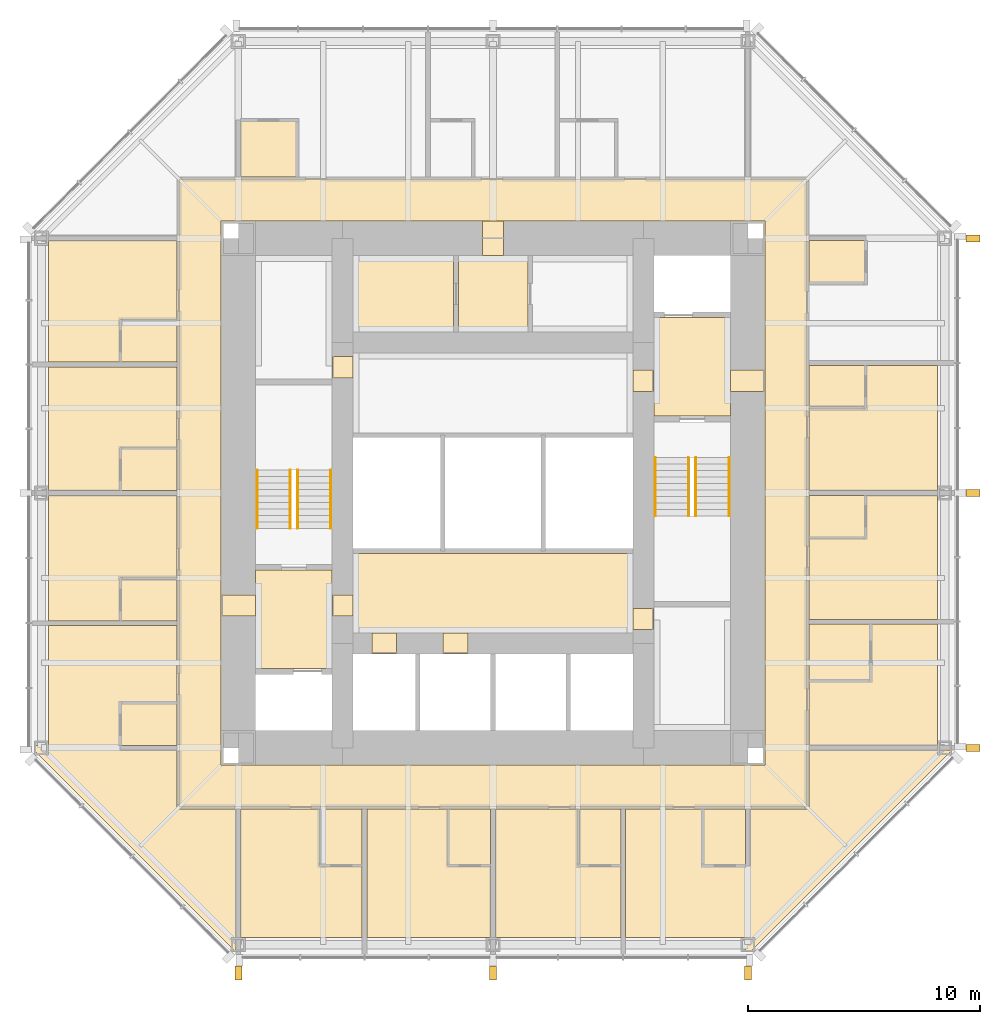
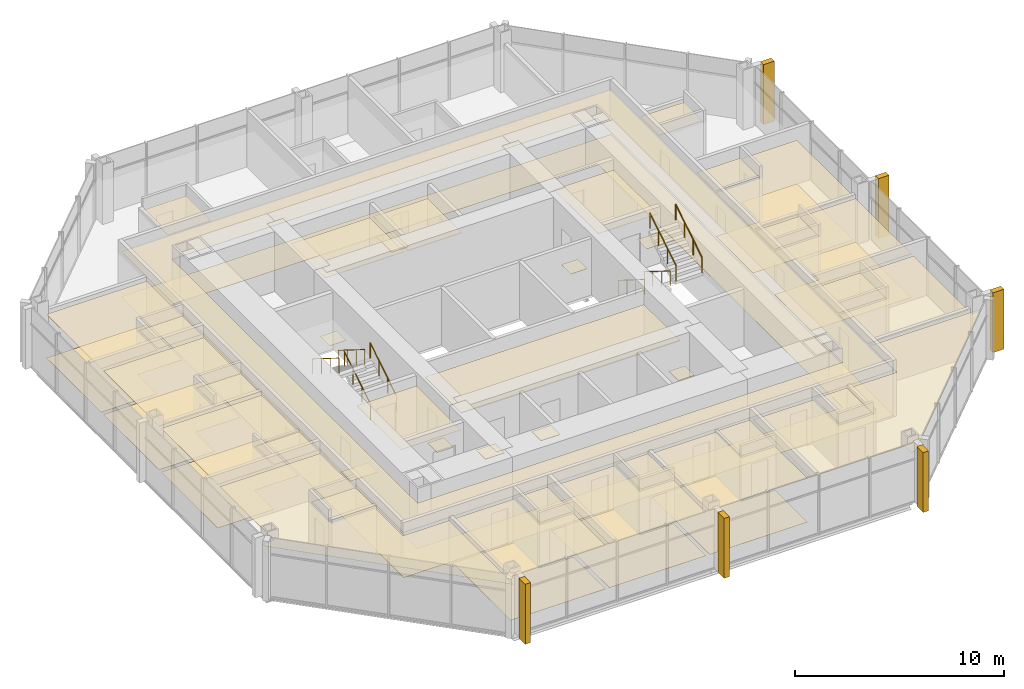
# One storey, part 11 of 12: 54 coverings, 8 railings.
"""IFC4 building model written with IfcOpenShell, lengths in metres."""

from ifc_helpers import new_model, si_unit, direction, frame, origin, origin_2d, place, context, subcontext, project, spatial, polyline, rectangle, circle, outline, extrude, material, layer, layer_set, type_object, element, save


model = new_model("IFC4")

# Units and contexts
model_context = context("Model", 3, precision=1e-05, world=origin(), true_north=direction((0.0, 1.0)))
body_context = subcontext(model_context, "Body", "Model", "MODEL_VIEW")
ifc_project = project(units=[si_unit("LENGTHUNIT", "METRE"), si_unit("AREAUNIT", "SQUARE_METRE"), si_unit("VOLUMEUNIT", "CUBIC_METRE"), si_unit("PLANEANGLEUNIT", "RADIAN"), si_unit("MASSUNIT", "GRAM", prefix="KILO")], contexts=[model_context])

# Site, building, storey
site_placement = place(None, origin())
site = spatial("IfcSite", under=ifc_project, at=site_placement, CompositionType="ELEMENT")
building_placement = place(site_placement, origin())
building = spatial("IfcBuilding", under=site, at=building_placement, Name="Trevanion Tower", CompositionType="ELEMENT")
storey_placement = place(building_placement, frame((0.0, 0.0, 208.199951171875)))
storey = spatial("IfcBuildingStorey", under=building, at=storey_placement, Name="L49", CompositionType="ELEMENT", Elevation=208.199951171875)

# Coverings
ifc_material_1 = material(Name="Fibrous plaster coffers on suspended steel grid", Category="steel")
ifc_layer_1 = layer(ifc_material_1, 0.050048828125)
ifc_layer_set_1 = layer_set([ifc_layer_1], Name="CL1 coffered fibrous plaster ceiling 50")
covering_type_1 = type_object("IfcCoveringType", Name="CL1 coffered fibrous plaster ceiling 50", PredefinedType="CEILING", material=ifc_layer_set_1)
covering_1_placement = place(storey_placement, frame((0.0, 0.0, 2.429931640625)))
element("IfcCovering", 1, at=covering_1_placement, inside=storey, type_object=covering_type_1, Name="CL1 L49-LBS", PredefinedType="CEILING", context=body_context, shape_type="SweptSolid", body=[
    extrude(outline(polyline([(6.050048828125, -6.050048828125), (6.050048828125, -2.60009765625), (-6.050048828125, -2.60009765625), (-6.050048828125, -6.050048828125), (6.050048828125, -6.050048828125)])), origin(), (0.0, 0.0, 1.0), 0.050048828125),
])
ifc_material_2 = material(Name="Mineral fibre acoustic tiles in exposed grid", Category="mineral fibre")
ifc_layer_2 = layer(ifc_material_2, 0.02001953125)
ifc_layer_set_2 = layer_set([ifc_layer_2], Name="CL2 acoustic tile ceiling 20")
covering_type_2 = type_object("IfcCoveringType", Name="CL2 acoustic tile ceiling 20", PredefinedType="CEILING", material=ifc_layer_set_2)
covering_2_placement = place(storey_placement, frame((0.0, 0.0, 2.4599609375)))
element("IfcCovering", 2, at=covering_2_placement, inside=storey, type_object=covering_type_2, Name="CL2 L49-HKC", PredefinedType="CEILING", context=body_context, shape_type="SweptSolid", body=[
    extrude(outline(polyline([(1.5, 6.949951171875), (1.5, 10.25), (-1.5, 10.25), (-1.5, 6.949951171875), (1.5, 6.949951171875)])), origin(), (0.0, 0.0, 1.0), 0.02001953125),
])
covering_3_placement = place(storey_placement, frame((0.0, 0.0, 2.633056640625)))
element("IfcCovering", 3, at=covering_3_placement, inside=storey, type_object=covering_type_2, Name="CL2 L49-CO", PredefinedType="CEILING", context=body_context, shape_type="SweptSolid", body=[
    extrude(outline(polyline([(-13.550048828125, -13.550048828125), (-13.550048828125, 13.550048828125), (13.550048828125, 13.550048828125), (13.550048828125, -13.550048828125), (-13.550048828125, -13.550048828125)]), holes=[polyline([(11.75, 11.75), (-11.75, 11.75), (-11.75, -11.75), (11.75, -11.75), (11.75, 11.75)])]), origin(), (0.0, 0.0, 1.0), 0.02001953125),
])
ifc_material_3 = material(Name="Gypsum plasterboard on suspended metal furring", Category="gypsum")
ifc_layer_3 = layer(ifc_material_3, 0.012939453125)
ifc_layer_set_3 = layer_set([ifc_layer_3], Name="CL3 plasterboard ceiling 13")
covering_type_3 = type_object("IfcCoveringType", Name="CL3 plasterboard ceiling 13", PredefinedType="CEILING", material=ifc_layer_set_3)
covering_4_placement = place(storey_placement, frame((0.0, 0.0, 2.699951171875)))
element("IfcCovering", 4, at=covering_4_placement, inside=storey, type_object=covering_type_3, Name="CL3 L49-FV1", PredefinedType="CEILING", context=body_context, shape_type="SweptSolid", body=[
    extrude(outline(polyline([(10.25, 3.324951171875), (10.25, 7.574951171875), (6.949951171875, 7.574951171875), (6.949951171875, 3.324951171875), (10.25, 3.324951171875)])), origin(), (0.0, 0.0, 1.0), 0.01318359375),
])
covering_5_placement = place(storey_placement, frame((0.0, 0.0, 2.699951171875)))
element("IfcCovering", 5, at=covering_5_placement, inside=storey, type_object=covering_type_3, Name="CL3 L49-FV2", PredefinedType="CEILING", context=body_context, shape_type="SweptSolid", body=[
    extrude(outline(polyline([(-10.25, -3.324951171875), (-10.25, -7.574951171875), (-6.949951171875, -7.574951171875), (-6.949951171875, -3.324951171875), (-10.25, -3.324951171875)])), origin(), (0.0, 0.0, 1.0), 0.01318359375),
])
covering_6_placement = place(storey_placement, frame((0.0, 0.0, 2.551025390625)))
element("IfcCovering", 6, at=covering_6_placement, inside=storey, type_object=covering_type_3, Name="CL3 L49-GA", PredefinedType="CEILING", context=body_context, shape_type="SweptSolid", body=[
    extrude(outline(polyline([(13.64990234375, -8.09912109375), (16.300048828125, -8.09912109375), (16.300048828125, -5.64892578125), (19.199951171875, -5.64892578125), (19.199951171875, -10.89990234375), (13.64990234375, -10.89990234375), (13.64990234375, -8.09912109375)])), origin(), (0.0, 0.0, 1.0), 0.012939453125),
])
covering_7_placement = place(storey_placement, frame((0.0, 0.0, 2.551025390625)))
element("IfcCovering", 7, at=covering_7_placement, inside=storey, type_object=covering_type_3, Name="CL3 L49-GR", PredefinedType="CEILING", context=body_context, shape_type="SweptSolid", body=[
    extrude(outline(polyline([(13.64990234375, -1.949951171875), (16.10009765625, -1.949951171875), (16.10009765625, -0.10009765625), (19.199951171875, -0.10009765625), (19.199951171875, -5.448974609375), (13.64990234375, -5.448974609375), (13.64990234375, -1.949951171875)])), origin(), (0.0, 0.0, 1.0), 0.012939453125),
])
covering_8_placement = place(storey_placement, frame((0.0, 0.0, 2.551025390625)))
element("IfcCovering", 8, at=covering_8_placement, inside=storey, type_object=covering_type_3, Name="CL3 L49-GR2", PredefinedType="CEILING", context=body_context, shape_type="SweptSolid", body=[
    extrude(outline(polyline([(13.64990234375, 3.6640625), (16.10009765625, 3.6640625), (16.10009765625, 5.513916015625), (19.199951171875, 5.513916015625), (19.199951171875, 0.10009765625), (13.64990234375, 0.10009765625), (13.64990234375, 3.6640625)])), origin(), (0.0, 0.0, 1.0), 0.012939453125),
])
covering_9_placement = place(storey_placement, frame((0.0, 0.0, 2.551025390625)))
element("IfcCovering", 9, at=covering_9_placement, inside=storey, type_object=covering_type_3, Name="CL3 L49-GR5", PredefinedType="CEILING", context=body_context, shape_type="SweptSolid", body=[
    extrude(outline(polyline([(-13.64990234375, 7.4990234375), (-16.10009765625, 7.4990234375), (-16.10009765625, 5.64892578125), (-19.199951171875, 5.64892578125), (-19.199951171875, 10.89990234375), (-13.64990234375, 10.89990234375), (-13.64990234375, 7.4990234375)])), origin(), (0.0, 0.0, 1.0), 0.012939453125),
])
covering_10_placement = place(storey_placement, frame((0.0, 0.0, 2.551025390625)))
element("IfcCovering", 10, at=covering_10_placement, inside=storey, type_object=covering_type_3, Name="CL3 L49-GR6", PredefinedType="CEILING", context=body_context, shape_type="SweptSolid", body=[
    extrude(outline(polyline([(-13.64990234375, 1.949951171875), (-16.10009765625, 1.949951171875), (-16.10009765625, 0.10009765625), (-19.199951171875, 0.10009765625), (-19.199951171875, 5.448974609375), (-13.64990234375, 5.448974609375), (-13.64990234375, 1.949951171875)])), origin(), (0.0, 0.0, 1.0), 0.012939453125),
])
covering_11_placement = place(storey_placement, frame((0.0, 0.0, 2.551025390625)))
element("IfcCovering", 11, at=covering_11_placement, inside=storey, type_object=covering_type_3, Name="CL3 L49-GR7", PredefinedType="CEILING", context=body_context, shape_type="SweptSolid", body=[
    extrude(outline(polyline([(-13.64990234375, -3.6640625), (-16.10009765625, -3.6640625), (-16.10009765625, -5.513916015625), (-19.199951171875, -5.513916015625), (-19.199951171875, -0.10009765625), (-13.64990234375, -0.10009765625), (-13.64990234375, -3.6640625)])), origin(), (0.0, 0.0, 1.0), 0.012939453125),
])
covering_12_placement = place(storey_placement, frame((0.0, 0.0, 2.551025390625)))
element("IfcCovering", 12, at=covering_12_placement, inside=storey, type_object=covering_type_3, Name="CL3 L49-GR8", PredefinedType="CEILING", context=body_context, shape_type="SweptSolid", body=[
    extrude(outline(polyline([(-11.10009765625, -13.64990234375), (-11.10009765625, -19.800048828125), (-11.124267578125, -19.800048828125), (-19.800048828125, -11.124267578125), (-19.800048828125, -10.89990234375), (-19.199951171875, -10.89990234375), (-19.199951171875, -5.714111328125), (-13.64990234375, -5.714111328125), (-13.64990234375, -9.050048828125), (-16.10009765625, -9.050048828125), (-16.10009765625, -10.949951171875), (-13.64990234375, -10.949951171875), (-13.64990234375, -13.64990234375), (-11.10009765625, -13.64990234375)])), origin(), (0.0, 0.0, 1.0), 0.012939453125),
])
covering_13_placement = place(storey_placement, frame((0.0, 0.0, 2.551025390625)))
element("IfcCovering", 13, at=covering_13_placement, inside=storey, type_object=covering_type_3, Name="CL3 L49-GR9", PredefinedType="CEILING", context=body_context, shape_type="SweptSolid", body=[
    extrude(outline(polyline([(-7.4990234375, -13.64990234375), (-7.4990234375, -16.10009765625), (-5.64892578125, -16.10009765625), (-5.64892578125, -19.199951171875), (-10.89990234375, -19.199951171875), (-10.89990234375, -13.64990234375), (-7.4990234375, -13.64990234375)])), origin(), (0.0, 0.0, 1.0), 0.012939453125),
])
covering_14_placement = place(storey_placement, frame((0.0, 0.0, 2.551025390625)))
element("IfcCovering", 14, at=covering_14_placement, inside=storey, type_object=covering_type_3, Name="CL3 L49-GR10", PredefinedType="CEILING", context=body_context, shape_type="SweptSolid", body=[
    extrude(outline(polyline([(-1.949951171875, -13.64990234375), (-1.949951171875, -16.10009765625), (-0.10009765625, -16.10009765625), (-0.10009765625, -19.199951171875), (-5.448974609375, -19.199951171875), (-5.448974609375, -13.64990234375), (-1.949951171875, -13.64990234375)])), origin(), (0.0, 0.0, 1.0), 0.012939453125),
])
covering_15_placement = place(storey_placement, frame((0.0, 0.0, 2.551025390625)))
element("IfcCovering", 15, at=covering_15_placement, inside=storey, type_object=covering_type_3, Name="CL3 L49-GR11", PredefinedType="CEILING", context=body_context, shape_type="SweptSolid", body=[
    extrude(outline(polyline([(3.6640625, -13.64990234375), (3.6640625, -16.10009765625), (5.513916015625, -16.10009765625), (5.513916015625, -19.199951171875), (0.10009765625, -19.199951171875), (0.10009765625, -13.64990234375), (3.6640625, -13.64990234375)])), origin(), (0.0, 0.0, 1.0), 0.012939453125),
])
covering_16_placement = place(storey_placement, frame((0.0, 0.0, 2.551025390625)))
element("IfcCovering", 16, at=covering_16_placement, inside=storey, type_object=covering_type_3, Name="CL3 L49-GR12", PredefinedType="CEILING", context=body_context, shape_type="SweptSolid", body=[
    extrude(outline(polyline([(13.64990234375, -11.10009765625), (19.800048828125, -11.10009765625), (19.800048828125, -11.124267578125), (11.124267578125, -19.800048828125), (10.89990234375, -19.800048828125), (10.89990234375, -19.199951171875), (5.714111328125, -19.199951171875), (5.714111328125, -13.64990234375), (9.050048828125, -13.64990234375), (9.050048828125, -16.10009765625), (10.949951171875, -16.10009765625), (10.949951171875, -13.64990234375), (13.64990234375, -13.64990234375), (13.64990234375, -11.10009765625)])), origin(), (0.0, 0.0, 1.0), 0.012939453125),
])
ifc_material_4 = material(Name="Moisture-resistant gypsum board on suspended metal furring", Category="gypsum")
ifc_layer_4 = layer(ifc_material_4, 0.01611328125)
ifc_layer_set_4 = layer_set([ifc_layer_4], Name="CL4 moisture-resistant board ceiling 16")
covering_type_4 = type_object("IfcCoveringType", Name="CL4 moisture-resistant board ceiling 16", PredefinedType="CEILING", material=ifc_layer_set_4)
covering_17_placement = place(storey_placement, frame((0.0, 0.0, 2.464111328125)))
element("IfcCovering", 17, at=covering_17_placement, inside=storey, type_object=covering_type_4, Name="CL4 L49-HK", PredefinedType="CEILING", context=body_context, shape_type="SweptSolid", body=[
    extrude(outline(polyline([(-1.699951171875, 6.949951171875), (-1.699951171875, 10.25), (-6.050048828125, 10.25), (-6.050048828125, 6.949951171875), (-1.699951171875, 6.949951171875)])), origin(), (0.0, 0.0, 1.0), 0.015869140625),
])
covering_18_placement = place(storey_placement, frame((0.0, 0.0, 2.60009765625)))
element("IfcCovering", 18, at=covering_18_placement, inside=storey, type_object=covering_type_4, Name="CL4 L49-EN", PredefinedType="CEILING", context=body_context, shape_type="SweptSolid", body=[
    extrude(outline(polyline([(16.25, -8.049072265625), (16.25, -5.64892578125), (13.64990234375, -5.64892578125), (13.64990234375, -8.049072265625), (16.25, -8.049072265625)])), origin(), (0.0, 0.0, 1.0), 0.015869140625),
])
covering_19_placement = place(storey_placement, frame((0.0, 0.0, 2.60009765625)))
element("IfcCovering", 19, at=covering_19_placement, inside=storey, type_object=covering_type_4, Name="CL4 L49-EN2", PredefinedType="CEILING", context=body_context, shape_type="SweptSolid", body=[
    extrude(outline(polyline([(16.050048828125, -1.89990234375), (16.050048828125, -0.10009765625), (13.64990234375, -0.10009765625), (13.64990234375, -1.89990234375), (16.050048828125, -1.89990234375)])), origin(), (0.0, 0.0, 1.0), 0.015869140625),
])
covering_20_placement = place(storey_placement, frame((0.0, 0.0, 2.60009765625)))
element("IfcCovering", 20, at=covering_20_placement, inside=storey, type_object=covering_type_4, Name="CL4 L49-EN3", PredefinedType="CEILING", context=body_context, shape_type="SweptSolid", body=[
    extrude(outline(polyline([(16.050048828125, 3.714111328125), (16.050048828125, 5.513916015625), (13.64990234375, 5.513916015625), (13.64990234375, 3.714111328125), (16.050048828125, 3.714111328125)])), origin(), (0.0, 0.0, 1.0), 0.015869140625),
])
covering_21_placement = place(storey_placement, frame((0.0, 0.0, 2.60009765625)))
element("IfcCovering", 21, at=covering_21_placement, inside=storey, type_object=covering_type_4, Name="CL4 L49-EN4", PredefinedType="CEILING", context=body_context, shape_type="SweptSolid", body=[
    extrude(outline(polyline([(16.050048828125, 9.10009765625), (16.050048828125, 10.89990234375), (13.64990234375, 10.89990234375), (13.64990234375, 9.10009765625), (16.050048828125, 9.10009765625)])), origin(), (0.0, 0.0, 1.0), 0.015869140625),
])
covering_22_placement = place(storey_placement, frame((0.0, 0.0, 2.60009765625)))
element("IfcCovering", 22, at=covering_22_placement, inside=storey, type_object=covering_type_4, Name="CL4 L49-EN7", PredefinedType="CEILING", context=body_context, shape_type="SweptSolid", body=[
    extrude(outline(polyline([(-8.5, 16.050048828125), (-10.89990234375, 16.050048828125), (-10.89990234375, 13.64990234375), (-8.5, 13.64990234375), (-8.5, 16.050048828125)])), origin(), (0.0, 0.0, 1.0), 0.015869140625),
])
covering_23_placement = place(storey_placement, frame((0.0, 0.0, 2.60009765625)))
element("IfcCovering", 23, at=covering_23_placement, inside=storey, type_object=covering_type_4, Name="CL4 L49-EN8", PredefinedType="CEILING", context=body_context, shape_type="SweptSolid", body=[
    extrude(outline(polyline([(-16.050048828125, 7.448974609375), (-16.050048828125, 5.64892578125), (-13.64990234375, 5.64892578125), (-13.64990234375, 7.448974609375), (-16.050048828125, 7.448974609375)])), origin(), (0.0, 0.0, 1.0), 0.015869140625),
])
covering_24_placement = place(storey_placement, frame((0.0, 0.0, 2.60009765625)))
element("IfcCovering", 24, at=covering_24_placement, inside=storey, type_object=covering_type_4, Name="CL4 L49-EN9", PredefinedType="CEILING", context=body_context, shape_type="SweptSolid", body=[
    extrude(outline(polyline([(-16.050048828125, 1.89990234375), (-16.050048828125, 0.10009765625), (-13.64990234375, 0.10009765625), (-13.64990234375, 1.89990234375), (-16.050048828125, 1.89990234375)])), origin(), (0.0, 0.0, 1.0), 0.015869140625),
])
covering_25_placement = place(storey_placement, frame((0.0, 0.0, 2.60009765625)))
element("IfcCovering", 25, at=covering_25_placement, inside=storey, type_object=covering_type_4, Name="CL4 L49-EN10", PredefinedType="CEILING", context=body_context, shape_type="SweptSolid", body=[
    extrude(outline(polyline([(-16.050048828125, -3.714111328125), (-16.050048828125, -5.513916015625), (-13.64990234375, -5.513916015625), (-13.64990234375, -3.714111328125), (-16.050048828125, -3.714111328125)])), origin(), (0.0, 0.0, 1.0), 0.015869140625),
])
covering_26_placement = place(storey_placement, frame((0.0, 0.0, 2.60009765625)))
element("IfcCovering", 26, at=covering_26_placement, inside=storey, type_object=covering_type_4, Name="CL4 L49-EN11", PredefinedType="CEILING", context=body_context, shape_type="SweptSolid", body=[
    extrude(outline(polyline([(-16.050048828125, -9.10009765625), (-16.050048828125, -10.89990234375), (-13.64990234375, -10.89990234375), (-13.64990234375, -9.10009765625), (-16.050048828125, -9.10009765625)])), origin(), (0.0, 0.0, 1.0), 0.015869140625),
])
covering_27_placement = place(storey_placement, frame((0.0, 0.0, 2.60009765625)))
element("IfcCovering", 27, at=covering_27_placement, inside=storey, type_object=covering_type_4, Name="CL4 L49-EN12", PredefinedType="CEILING", context=body_context, shape_type="SweptSolid", body=[
    extrude(outline(polyline([(-7.448974609375, -16.050048828125), (-5.64892578125, -16.050048828125), (-5.64892578125, -13.64990234375), (-7.448974609375, -13.64990234375), (-7.448974609375, -16.050048828125)])), origin(), (0.0, 0.0, 1.0), 0.015869140625),
])
covering_28_placement = place(storey_placement, frame((0.0, 0.0, 2.60009765625)))
element("IfcCovering", 28, at=covering_28_placement, inside=storey, type_object=covering_type_4, Name="CL4 L49-EN13", PredefinedType="CEILING", context=body_context, shape_type="SweptSolid", body=[
    extrude(outline(polyline([(-1.89990234375, -16.050048828125), (-0.10009765625, -16.050048828125), (-0.10009765625, -13.64990234375), (-1.89990234375, -13.64990234375), (-1.89990234375, -16.050048828125)])), origin(), (0.0, 0.0, 1.0), 0.015869140625),
])
covering_29_placement = place(storey_placement, frame((0.0, 0.0, 2.60009765625)))
element("IfcCovering", 29, at=covering_29_placement, inside=storey, type_object=covering_type_4, Name="CL4 L49-EN14", PredefinedType="CEILING", context=body_context, shape_type="SweptSolid", body=[
    extrude(outline(polyline([(3.714111328125, -16.050048828125), (5.513916015625, -16.050048828125), (5.513916015625, -13.64990234375), (3.714111328125, -13.64990234375), (3.714111328125, -16.050048828125)])), origin(), (0.0, 0.0, 1.0), 0.015869140625),
])
covering_30_placement = place(storey_placement, frame((0.0, 0.0, 2.60009765625)))
element("IfcCovering", 30, at=covering_30_placement, inside=storey, type_object=covering_type_4, Name="CL4 L49-EN15", PredefinedType="CEILING", context=body_context, shape_type="SweptSolid", body=[
    extrude(outline(polyline([(9.10009765625, -16.050048828125), (10.89990234375, -16.050048828125), (10.89990234375, -13.64990234375), (9.10009765625, -13.64990234375), (9.10009765625, -16.050048828125)])), origin(), (0.0, 0.0, 1.0), 0.015869140625),
])
ifc_material_5 = material(Name="Cast bronze fin on aluminium carrier", Category="aluminium")
covering_type_5 = type_object("IfcCoveringType", Name="F1 bronze fin", PredefinedType="CLADDING", material=ifc_material_5)
for number, where, z_axis, x_axis, name in (
    (31, (20.72509765625, -11.0, -0.18994140625), (0.0, 0.0, 1.0), (0.0, 1.0, 0.0), "F1 L49 east -11.0"),
    (32, (20.72509765625, 0.0, -0.18994140625), (0.0, 0.0, 1.0), (0.0, 1.0, 0.0), "F1 L49 east +0.0"),
    (33, (20.72509765625, 11.0, -0.18994140625), (0.0, 0.0, 1.0), (0.0, 1.0, 0.0), "F1 L49 east +11.0"),
    (34, (-11.0, -20.72509765625, -0.18994140625), (0.0, 0.0, 1.0), (1.0, 0.0, 0.0), "F1 L49 south -11.0"),
    (35, (0.0, -20.72509765625, -0.18994140625), (0.0, 0.0, 1.0), (1.0, 0.0, 0.0), "F1 L49 south +0.0"),
    (36, (11.0, -20.72509765625, -0.18994140625), (0.0, 0.0, 1.0), (1.0, 0.0, 0.0), "F1 L49 south +11.0"),
):
    element("IfcCovering", number, at=place(storey_placement, frame(where, z_axis=z_axis, x_axis=x_axis)), inside=storey, type_object=covering_type_5, Name=name, PredefinedType="CLADDING", context=body_context, shape_type="SweptSolid", body=[
        extrude(rectangle(XDim=0.300048828125, YDim=0.60009765625, at=origin_2d()), origin(), (0.0, 0.0, 1.0), 3.5),
    ])
ifc_material_6 = material(Name="Terrazzo, brass divider strips", Category="stone")
ifc_layer_5 = layer(ifc_material_6, 0.02001953125)
ifc_layer_set_5 = layer_set([ifc_layer_5], Name="FF1 terrazzo flooring")
covering_type_6 = type_object("IfcCoveringType", Name="FF1 terrazzo flooring", PredefinedType="FLOORING", material=ifc_layer_set_5)
covering_31_placement = place(storey_placement, origin())
element("IfcCovering", 37, at=covering_31_placement, inside=storey, type_object=covering_type_6, Name="FF1 threshold 49-001", PredefinedType="FLOORING", context=body_context, shape_type="SweptSolid", body=[
    extrude(outline(polyline([(11.75, 4.392578125), (11.75, 5.3076171875), (10.25, 5.3076171875), (10.25, 4.392578125), (11.75, 4.392578125)])), origin(), (0.0, 0.0, 1.0), 0.02001953125),
])
covering_32_placement = place(storey_placement, origin())
element("IfcCovering", 38, at=covering_32_placement, inside=storey, type_object=covering_type_6, Name="FF1 threshold 49-002", PredefinedType="FLOORING", context=body_context, shape_type="SweptSolid", body=[
    extrude(outline(polyline([(-11.75, -4.392578125), (-11.75, -5.3076171875), (-10.25, -5.3076171875), (-10.25, -4.392578125), (-11.75, -4.392578125)])), origin(), (0.0, 0.0, 1.0), 0.02001953125),
])
covering_33_placement = place(storey_placement, origin())
element("IfcCovering", 39, at=covering_33_placement, inside=storey, type_object=covering_type_6, Name="FF1 threshold 49-003", PredefinedType="FLOORING", context=body_context, shape_type="SweptSolid", body=[
    extrude(outline(polyline([(6.949951171875, 4.392578125), (6.949951171875, 5.3076171875), (6.050048828125, 5.3076171875), (6.050048828125, 4.392578125), (6.949951171875, 4.392578125)])), origin(), (0.0, 0.0, 1.0), 0.02001953125),
])
covering_34_placement = place(storey_placement, origin())
element("IfcCovering", 40, at=covering_34_placement, inside=storey, type_object=covering_type_6, Name="FF1 threshold 49-004", PredefinedType="FLOORING", context=body_context, shape_type="SweptSolid", body=[
    extrude(outline(polyline([(-6.949951171875, -4.392578125), (-6.949951171875, -5.3076171875), (-6.050048828125, -5.3076171875), (-6.050048828125, -4.392578125), (-6.949951171875, -4.392578125)])), origin(), (0.0, 0.0, 1.0), 0.02001953125),
])
covering_35_placement = place(storey_placement, origin())
element("IfcCovering", 41, at=covering_35_placement, inside=storey, type_object=covering_type_6, Name="FF1 threshold 49-009", PredefinedType="FLOORING", context=body_context, shape_type="SweptSolid", body=[
    extrude(outline(polyline([(6.949951171875, -5.889892578125), (6.949951171875, -4.97509765625), (6.050048828125, -4.97509765625), (6.050048828125, -5.889892578125), (6.949951171875, -5.889892578125)])), origin(), (0.0, 0.0, 1.0), 0.02001953125),
])
covering_36_placement = place(storey_placement, origin())
element("IfcCovering", 42, at=covering_36_placement, inside=storey, type_object=covering_type_6, Name="FF1 threshold 49-010", PredefinedType="FLOORING", context=body_context, shape_type="SweptSolid", body=[
    extrude(outline(polyline([(-6.949951171875, 5.889892578125), (-6.949951171875, 4.97509765625), (-6.050048828125, 4.97509765625), (-6.050048828125, 5.889892578125), (-6.949951171875, 5.889892578125)])), origin(), (0.0, 0.0, 1.0), 0.02001953125),
])
covering_37_placement = place(storey_placement, origin())
element("IfcCovering", 43, at=covering_37_placement, inside=storey, type_object=covering_type_6, Name="FF1 threshold 49-011", PredefinedType="FLOORING", context=body_context, shape_type="SweptSolid", body=[
    extrude(outline(polyline([(-5.2333984375, -6.949951171875), (-4.16650390625, -6.949951171875), (-4.16650390625, -6.050048828125), (-5.2333984375, -6.050048828125), (-5.2333984375, -6.949951171875)])), origin(), (0.0, 0.0, 1.0), 0.02001953125),
])
covering_38_placement = place(storey_placement, origin())
element("IfcCovering", 44, at=covering_38_placement, inside=storey, type_object=covering_type_6, Name="FF1 threshold 49-012", PredefinedType="FLOORING", context=body_context, shape_type="SweptSolid", body=[
    extrude(outline(polyline([(-2.158447265625, -6.949951171875), (-1.091552734375, -6.949951171875), (-1.091552734375, -6.050048828125), (-2.158447265625, -6.050048828125), (-2.158447265625, -6.949951171875)])), origin(), (0.0, 0.0, 1.0), 0.02001953125),
])
covering_39_placement = place(storey_placement, origin())
element("IfcCovering", 45, at=covering_39_placement, inside=storey, type_object=covering_type_6, Name="FF1 threshold 49-013", PredefinedType="FLOORING", context=body_context, shape_type="SweptSolid", body=[
    extrude(outline(polyline([(0.45751953125, 11.75), (-0.45751953125, 11.75), (-0.45751953125, 10.25), (0.45751953125, 10.25), (0.45751953125, 11.75)])), origin(), (0.0, 0.0, 1.0), 0.02001953125),
])
ifc_material_7 = material(Name="Wool carpet on underlay", Category="textile")
ifc_layer_6 = layer(ifc_material_7, 0.011962890625)
ifc_layer_set_6 = layer_set([ifc_layer_6], Name="FF2 carpet flooring")
covering_type_7 = type_object("IfcCoveringType", Name="FF2 carpet flooring", PredefinedType="FLOORING", material=ifc_layer_set_6)
covering_40_placement = place(storey_placement, origin())
element("IfcCovering", 46, at=covering_40_placement, inside=storey, type_object=covering_type_7, Name="FF2 L49-CO", PredefinedType="FLOORING", context=body_context, shape_type="SweptSolid", body=[
    extrude(outline(polyline([(-13.550048828125, -13.550048828125), (-13.550048828125, 13.550048828125), (13.550048828125, 13.550048828125), (13.550048828125, -13.550048828125), (-13.550048828125, -13.550048828125)]), holes=[polyline([(11.75, 11.75), (-11.75, 11.75), (-11.75, -11.75), (11.75, -11.75), (11.75, 11.75)])]), origin(), (0.0, 0.0, 1.0), 0.011962890625),
])
covering_41_placement = place(storey_placement, origin())
element("IfcCovering", 47, at=covering_41_placement, inside=storey, type_object=covering_type_7, Name="FF2 L49-GR", PredefinedType="FLOORING", context=body_context, shape_type="SweptSolid", body=[
    extrude(outline(polyline([(13.64990234375, -1.949951171875), (16.10009765625, -1.949951171875), (16.10009765625, -0.10009765625), (19.199951171875, -0.10009765625), (19.199951171875, -5.448974609375), (13.64990234375, -5.448974609375), (13.64990234375, -1.949951171875)])), origin(), (0.0, 0.0, 1.0), 0.011962890625),
])
covering_42_placement = place(storey_placement, origin())
element("IfcCovering", 48, at=covering_42_placement, inside=storey, type_object=covering_type_7, Name="FF2 L49-GR2", PredefinedType="FLOORING", context=body_context, shape_type="SweptSolid", body=[
    extrude(outline(polyline([(13.64990234375, 3.6640625), (16.10009765625, 3.6640625), (16.10009765625, 5.513916015625), (19.199951171875, 5.513916015625), (19.199951171875, 0.10009765625), (13.64990234375, 0.10009765625), (13.64990234375, 3.6640625)])), origin(), (0.0, 0.0, 1.0), 0.011962890625),
])
covering_43_placement = place(storey_placement, origin())
element("IfcCovering", 49, at=covering_43_placement, inside=storey, type_object=covering_type_7, Name="FF2 L49-GR5", PredefinedType="FLOORING", context=body_context, shape_type="SweptSolid", body=[
    extrude(outline(polyline([(-13.64990234375, 7.4990234375), (-16.10009765625, 7.4990234375), (-16.10009765625, 5.64892578125), (-19.199951171875, 5.64892578125), (-19.199951171875, 10.89990234375), (-13.64990234375, 10.89990234375), (-13.64990234375, 7.4990234375)])), origin(), (0.0, 0.0, 1.0), 0.011962890625),
])
covering_44_placement = place(storey_placement, origin())
element("IfcCovering", 50, at=covering_44_placement, inside=storey, type_object=covering_type_7, Name="FF2 L49-GR6", PredefinedType="FLOORING", context=body_context, shape_type="SweptSolid", body=[
    extrude(outline(polyline([(-13.64990234375, 1.949951171875), (-16.10009765625, 1.949951171875), (-16.10009765625, 0.10009765625), (-19.199951171875, 0.10009765625), (-19.199951171875, 5.448974609375), (-13.64990234375, 5.448974609375), (-13.64990234375, 1.949951171875)])), origin(), (0.0, 0.0, 1.0), 0.011962890625),
])
covering_45_placement = place(storey_placement, origin())
element("IfcCovering", 51, at=covering_45_placement, inside=storey, type_object=covering_type_7, Name="FF2 L49-GR7", PredefinedType="FLOORING", context=body_context, shape_type="SweptSolid", body=[
    extrude(outline(polyline([(-13.64990234375, -3.6640625), (-16.10009765625, -3.6640625), (-16.10009765625, -5.513916015625), (-19.199951171875, -5.513916015625), (-19.199951171875, -0.10009765625), (-13.64990234375, -0.10009765625), (-13.64990234375, -3.6640625)])), origin(), (0.0, 0.0, 1.0), 0.011962890625),
])
covering_46_placement = place(storey_placement, origin())
element("IfcCovering", 52, at=covering_46_placement, inside=storey, type_object=covering_type_7, Name="FF2 L49-GR9", PredefinedType="FLOORING", context=body_context, shape_type="SweptSolid", body=[
    extrude(outline(polyline([(-7.4990234375, -13.64990234375), (-7.4990234375, -16.10009765625), (-5.64892578125, -16.10009765625), (-5.64892578125, -19.199951171875), (-10.89990234375, -19.199951171875), (-10.89990234375, -13.64990234375), (-7.4990234375, -13.64990234375)])), origin(), (0.0, 0.0, 1.0), 0.011962890625),
])
covering_47_placement = place(storey_placement, origin())
element("IfcCovering", 53, at=covering_47_placement, inside=storey, type_object=covering_type_7, Name="FF2 L49-GR10", PredefinedType="FLOORING", context=body_context, shape_type="SweptSolid", body=[
    extrude(outline(polyline([(-1.949951171875, -13.64990234375), (-1.949951171875, -16.10009765625), (-0.10009765625, -16.10009765625), (-0.10009765625, -19.199951171875), (-5.448974609375, -19.199951171875), (-5.448974609375, -13.64990234375), (-1.949951171875, -13.64990234375)])), origin(), (0.0, 0.0, 1.0), 0.011962890625),
])
covering_48_placement = place(storey_placement, origin())
element("IfcCovering", 54, at=covering_48_placement, inside=storey, type_object=covering_type_7, Name="FF2 L49-GR11", PredefinedType="FLOORING", context=body_context, shape_type="SweptSolid", body=[
    extrude(outline(polyline([(3.6640625, -13.64990234375), (3.6640625, -16.10009765625), (5.513916015625, -16.10009765625), (5.513916015625, -19.199951171875), (0.10009765625, -19.199951171875), (0.10009765625, -13.64990234375), (3.6640625, -13.64990234375)])), origin(), (0.0, 0.0, 1.0), 0.011962890625),
])

# Railings
ifc_material_8 = material(Name="Stainless steel tube 40 mm", Category="steel")
railing_type = type_object("IfcRailingType", Name="HR1 handrail", PredefinedType="HANDRAIL", material=ifc_material_8)
for number, where, name in (
    (55, (7.010009765625, 1.52490234375, 0.175048828125), "HR1 ST1 L49 flight 1"),
    (56, (8.43994140625, 1.52490234375, 0.175048828125), "HR1 ST1 L49 flight 1"),
):
    element("IfcRailing", number, at=place(storey_placement, frame(where)), inside=storey, type_object=railing_type, Name=name, PredefinedType="HANDRAIL", context=body_context, shape_type="SweptSolid", body=[
        extrude(circle(Radius=0.02001953125, at=origin_2d()), frame((0.0, 0.0, 0.8798828125), z_axis=(0.0, -0.848007534815, 0.529984170421), x_axis=(1.0, 0.0, 0.0)), (0.0, 0.0, 1.0), 2.9716796875),
        extrude(circle(Radius=0.01513671875, at=origin_2d()), origin(), (0.0, 0.0, 1.0), 0.85986328125),
        extrude(circle(Radius=0.01513671875, at=origin_2d()), frame((0.0, -0.840087890625, 0.52490234375)), (0.0, 0.0, 1.0), 0.85986328125),
        extrude(circle(Radius=0.01513671875, at=origin_2d()), frame((0.0, -1.679931640625, 1.050048828125)), (0.0, 0.0, 1.0), 0.85986328125),
        extrude(circle(Radius=0.01513671875, at=origin_2d()), frame((0.0, -2.52001953125, 1.574951171875)), (0.0, 0.0, 1.0), 0.85986328125),
    ])
for number, where, name in (
    (57, (8.760009765625, -0.9951171875, 1.925048828125), "HR1 ST1 L49 flight 2"),
    (58, (10.18994140625, -0.9951171875, 1.925048828125), "HR1 ST1 L49 flight 2"),
    (59, (-7.010009765625, -1.52490234375, 0.175048828125), "HR1 ST2 L49 flight 1"),
    (60, (-8.43994140625, -1.52490234375, 0.175048828125), "HR1 ST2 L49 flight 1"),
):
    element("IfcRailing", number, at=place(storey_placement, frame(where)), inside=storey, type_object=railing_type, Name=name, PredefinedType="HANDRAIL", context=body_context, shape_type="SweptSolid", body=[
        extrude(circle(Radius=0.02001953125, at=origin_2d()), frame((0.0, 0.0, 0.8798828125), z_axis=(0.0, 0.848007534815, 0.529984170421), x_axis=(-1.0, 0.0, 0.0)), (0.0, 0.0, 1.0), 2.9716796875),
        extrude(circle(Radius=0.01513671875, at=origin_2d()), origin(), (0.0, 0.0, 1.0), 0.85986328125),
        extrude(circle(Radius=0.01513671875, at=origin_2d()), frame((0.0, 0.840087890625, 0.52490234375)), (0.0, 0.0, 1.0), 0.85986328125),
        extrude(circle(Radius=0.01513671875, at=origin_2d()), frame((0.0, 1.679931640625, 1.050048828125)), (0.0, 0.0, 1.0), 0.85986328125),
        extrude(circle(Radius=0.01513671875, at=origin_2d()), frame((0.0, 2.52001953125, 1.574951171875)), (0.0, 0.0, 1.0), 0.85986328125),
    ])
for number, where, name in (
    (61, (-8.760009765625, 0.9951171875, 1.925048828125), "HR1 ST2 L49 flight 2"),
    (62, (-10.18994140625, 0.9951171875, 1.925048828125), "HR1 ST2 L49 flight 2"),
):
    element("IfcRailing", number, at=place(storey_placement, frame(where)), inside=storey, type_object=railing_type, Name=name, PredefinedType="HANDRAIL", context=body_context, shape_type="SweptSolid", body=[
        extrude(circle(Radius=0.02001953125, at=origin_2d()), frame((0.0, 0.0, 0.8798828125), z_axis=(0.0, -0.848007534815, 0.529984170421), x_axis=(1.0, 0.0, 0.0)), (0.0, 0.0, 1.0), 2.9716796875),
        extrude(circle(Radius=0.01513671875, at=origin_2d()), origin(), (0.0, 0.0, 1.0), 0.85986328125),
        extrude(circle(Radius=0.01513671875, at=origin_2d()), frame((0.0, -0.840087890625, 0.52490234375)), (0.0, 0.0, 1.0), 0.85986328125),
        extrude(circle(Radius=0.01513671875, at=origin_2d()), frame((0.0, -1.679931640625, 1.050048828125)), (0.0, 0.0, 1.0), 0.85986328125),
        extrude(circle(Radius=0.01513671875, at=origin_2d()), frame((0.0, -2.52001953125, 1.574951171875)), (0.0, 0.0, 1.0), 0.85986328125),
    ])

save(model, "model.ifc")
